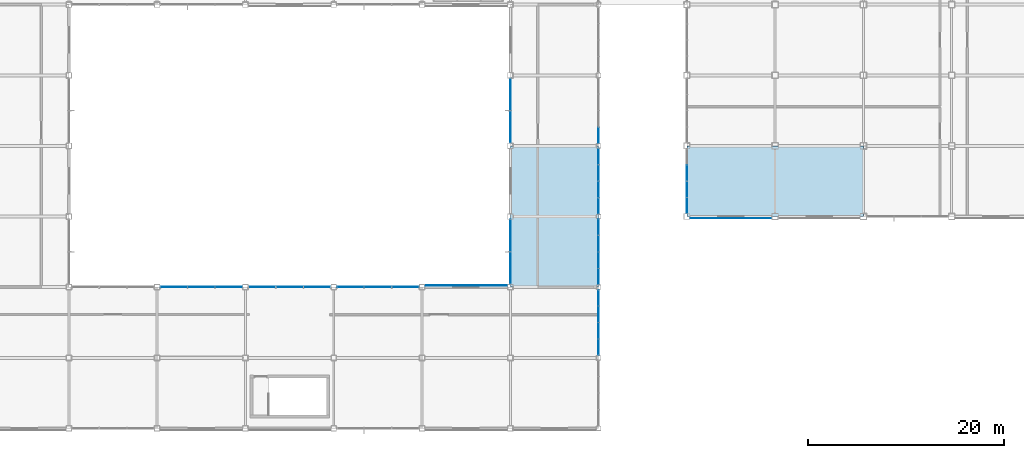
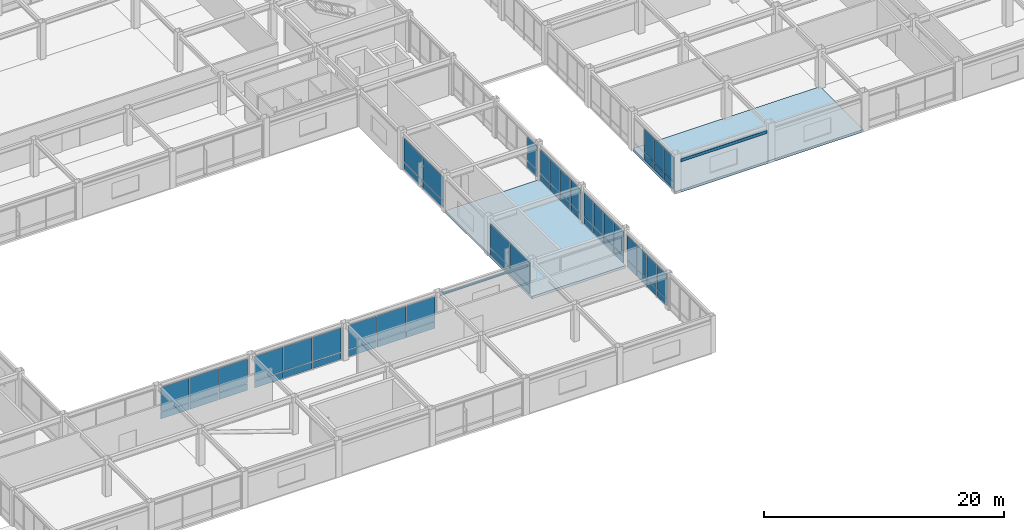
# One storey, part 86 of 113: 60 plates, 2 slabs, 10 elements without a shape of their own.
"""IFC4 building model written with IfcOpenShell, lengths in metres."""

import ifcopenshell
import ifcopenshell.guid

model = None  # the IFC model being written
_history = None  # IfcOwnerHistory: only IFC2X3 demands one
_inside = {}  # id of a spatial element -> (the spatial element, [elements in it])
_under = {}  # id of a project, library or spatial element -> (it, [spatial elements below it])
_declared = {}  # id of a project -> (the project, [libraries it declares])
_typed = {}  # id of a type object -> (the type object, [elements of that type])
_made_of = {}  # id of a material, layer set ... -> (it, [elements and type objects made of it])


def new_model(schema):
    """Start an empty IFC model of exactly this schema.

    Asked for "IFC4X3", IfcOpenShell would pick the latest addendum, in which some entities
    have other attributes; the version numbers below select the first issue.
    IFC2X3 requires an IfcOwnerHistory on every rooted entity: one is made here for all.
    """
    global model, _history
    if schema == "IFC4X3":
        model = ifcopenshell.file(schema_version=(4, 3, 0, 0))
    else:
        model = ifcopenshell.file(schema=schema)
    _inside.clear()
    _under.clear()
    _declared.clear()
    _typed.clear()
    _made_of.clear()
    _history = None
    if model.schema == "IFC2X3":
        org = make("IfcOrganization", Name="unknown")
        user = make(
            "IfcPersonAndOrganization",
            ThePerson=make("IfcPerson", FamilyName="unknown"),
            TheOrganization=org,
        )
        app = make(
            "IfcApplication",
            ApplicationDeveloper=org,
            Version="unknown",
            ApplicationFullName="unknown",
            ApplicationIdentifier="unknown",
        )
        _history = make(
            "IfcOwnerHistory",
            OwningUser=user,
            OwningApplication=app,
            ChangeAction="ADDED",
            CreationDate=0,
        )
    return model


def make(cls, **values):
    """One entity of the class cls with the attributes given. An attribute that is None is left unset."""
    return model.create_entity(
        cls, **{name: value for name, value in values.items() if value is not None}
    )


def rooted(cls, **values):
    """An entity with a GlobalId (a new one), such as an element, a storey or a relation."""
    return make(cls, GlobalId=ifcopenshell.guid.new(), OwnerHistory=_history, **values)


def si_unit(unit_type, name, prefix=None):
    """IfcSIUnit, for example si_unit("LENGTHUNIT", "METRE", prefix="MILLI")."""
    return make("IfcSIUnit", UnitType=unit_type, Prefix=prefix, Name=name)


def assignment(units):
    """IfcUnitAssignment: the units of a project."""
    return None if units is None else make("IfcUnitAssignment", Units=units)


def point(xyz):
    """IfcCartesianPoint."""
    return None if xyz is None else make("IfcCartesianPoint", Coordinates=xyz)


def direction(xyz):
    """IfcDirection."""
    return None if xyz is None else make("IfcDirection", DirectionRatios=xyz)


def frame(location, z_axis=None, x_axis=None):
    """IfcAxis2Placement3D, a coordinate frame: its origin and axes. An axis left out is left unset."""
    return make(
        "IfcAxis2Placement3D",
        Location=point(location),
        Axis=direction(z_axis),
        RefDirection=direction(x_axis),
    )


def frame_2d(location, x_axis=None):
    """IfcAxis2Placement2D, a coordinate frame in the plane: its origin and x axis."""
    return make(
        "IfcAxis2Placement2D", Location=point(location), RefDirection=direction(x_axis)
    )


def origin():
    """The frame at (0, 0, 0) with its axes left unset."""
    return frame((0.0, 0.0, 0.0))


def origin_2d():
    """The frame at (0, 0) in the plane with its x axis left unset."""
    return frame_2d((0.0, 0.0))


def place(relative_to, where):
    """IfcLocalPlacement: puts the frame where relative to a parent placement (None: the world)."""
    return make(
        "IfcLocalPlacement", PlacementRelTo=relative_to, RelativePlacement=where
    )


def context(
    kind, dimensions, precision=None, world=None, true_north=None, identifier=None
):
    """IfcGeometricRepresentationContext, for example the 3D "Model" context."""
    return make(
        "IfcGeometricRepresentationContext",
        ContextIdentifier=identifier,
        ContextType=kind,
        CoordinateSpaceDimension=dimensions,
        Precision=precision,
        WorldCoordinateSystem=world,
        TrueNorth=true_north,
    )


def subcontext(parent, identifier, kind, view, scale=None):
    """IfcGeometricRepresentationSubContext, for example "Body" below "Model"."""
    return make(
        "IfcGeometricRepresentationSubContext",
        ContextIdentifier=identifier,
        ContextType=kind,
        ParentContext=parent,
        TargetScale=scale,
        TargetView=view,
    )


def project(units=None, contexts=None):
    """IfcProject with its units and contexts."""
    return rooted(
        "IfcProject",
        Name="project",
        RepresentationContexts=contexts,
        UnitsInContext=assignment(units),
    )


def spatial(cls, under=None, at=None, **own):
    """A site, building, storey or space (cls), placed at a placement, below another one or the project."""
    s = rooted(cls, ObjectPlacement=at, **own)
    if under is not None:
        _under.setdefault(under.id(), (under, []))[1].append(s)
    return s


def polyline(points):
    """IfcPolyline through the points."""
    return make("IfcPolyline", Points=[point(p) for p in points])


def profile(cls, at=None, kind="AREA", **sizes):
    """A parametric profile (cls). Its sizes go by their IFC names, for example OverallWidth=200.0."""
    return make(cls, ProfileType=kind, Position=at, **sizes)


def rectangle(**sizes):
    """IfcRectangleProfileDef."""
    return profile("IfcRectangleProfileDef", **sizes)


def outline(outer, holes=None, kind="AREA"):
    """IfcArbitraryClosedProfileDef: a profile drawn as a closed curve; with holes, ...WithVoids."""
    if holes is None:
        return make("IfcArbitraryClosedProfileDef", ProfileType=kind, OuterCurve=outer)
    return make(
        "IfcArbitraryProfileDefWithVoids",
        ProfileType=kind,
        OuterCurve=outer,
        InnerCurves=holes,
    )


def extrude(swept, where, along, depth):
    """IfcExtrudedAreaSolid: the profile swept, set in the frame where, extruded along a direction by depth."""
    return make(
        "IfcExtrudedAreaSolid",
        SweptArea=swept,
        Position=where,
        ExtrudedDirection=direction(along),
        Depth=depth,
    )


def shape(context_of_items, identifier, shape_type, items):
    """IfcShapeRepresentation: the items that make up one representation, for example the "Body"."""
    return make(
        "IfcShapeRepresentation",
        ContextOfItems=context_of_items,
        RepresentationIdentifier=identifier,
        RepresentationType=shape_type,
        Items=items,
    )


def material(Name=None, Category=None):
    """IfcMaterial."""
    return make("IfcMaterial", Name=Name, Category=Category)


def layer(
    of_material, thickness, ventilated=None, Name=None, Category=None, Priority=None
):
    """IfcMaterialLayer: one layer of a wall or slab, of a material (None: an air gap)."""
    return make(
        "IfcMaterialLayer",
        Material=of_material,
        LayerThickness=thickness,
        IsVentilated=ventilated,
        Name=Name,
        Category=Category,
        Priority=Priority,
    )


def layer_set(layers, Name=None):
    """IfcMaterialLayerSet."""
    return make("IfcMaterialLayerSet", MaterialLayers=layers, LayerSetName=Name)


def made_of(thing, what):
    """Note that an element or type object is made of a material, layer set ...; save() writes the relation."""
    if what is not None:
        _made_of.setdefault(what.id(), (what, []))[1].append(thing)
    return thing


def type_object(cls, material=None, **own):
    """A type object (cls), such as IfcWallType, which elements share."""
    return made_of(rooted(cls, **own), material)


def element(
    cls,
    number,
    at=None,
    inside=None,
    cuts=None,
    type_object=None,
    material=None,
    context=None,
    identifier="Body",
    shape_type=None,
    held_by="IfcProductDefinitionShape",
    body=None,
    shapes=None,
    **own,
):
    """One element of the class cls, such as IfcWall. Its Tag is "e" and its number.

    at: its placement. inside: the storey or other place that contains it. cuts: it is an
    opening in that element (IfcRelVoidsElement). A single representation is given by context,
    identifier, shape_type and body (its items); several are given by shapes. held_by: the class
    of the entity that holds the representations. save() writes the other relations.
    """
    e = rooted(cls, Tag="e%d" % number, ObjectPlacement=at, **own)
    if body is not None:
        shapes = [shape(context, identifier, shape_type, body)]
    if shapes is not None:
        e.Representation = make(held_by, Representations=shapes)
    if inside is not None:
        _inside.setdefault(inside.id(), (inside, []))[1].append(e)
    if cuts is not None:
        rooted(
            "IfcRelVoidsElement", RelatingBuildingElement=cuts, RelatedOpeningElement=e
        )
    if type_object is not None:
        _typed.setdefault(type_object.id(), (type_object, []))[1].append(e)
    return made_of(e, material)


def aggregate(whole, parts):
    """IfcRelAggregates: a whole, such as a stair, and the parts it consists of."""
    return rooted("IfcRelAggregates", RelatingObject=whole, RelatedObjects=parts)


def save(model, path):
    """Write the relations noted so far, then the file.

    IfcRelAggregates (storeys below a building ...), IfcRelContainedInSpatialStructure (elements
    in a storey), IfcRelDefinesByType, IfcRelAssociatesMaterial and IfcRelDeclares: one each for
    every whole, place, type object, material and project.
    """
    for whole, parts in _under.values():
        aggregate(whole, parts)
    for where, things in _inside.values():
        rooted(
            "IfcRelContainedInSpatialStructure",
            RelatedElements=things,
            RelatingStructure=where,
        )
    for kind, things in _typed.values():
        rooted("IfcRelDefinesByType", RelatedObjects=things, RelatingType=kind)
    for what, things in _made_of.values():
        rooted("IfcRelAssociatesMaterial", RelatedObjects=things, RelatingMaterial=what)
    for by, libraries in _declared.values():
        rooted("IfcRelDeclares", RelatingContext=by, RelatedDefinitions=libraries)
    model.write(path)


model = new_model("IFC4")

# Units and contexts
model_context = context("Model", 3, precision=1e-05, world=origin(), true_north=direction((0.0, 1.0)))
body_context = subcontext(model_context, "Body", "Model", "MODEL_VIEW")
ifc_project = project(units=[si_unit("LENGTHUNIT", "METRE"), si_unit("AREAUNIT", "SQUARE_METRE"), si_unit("VOLUMEUNIT", "CUBIC_METRE"), si_unit("PLANEANGLEUNIT", "RADIAN"), si_unit("MASSUNIT", "GRAM", prefix="KILO")], contexts=[model_context])

# Site, building, storey
site_placement = place(None, origin())
site = spatial("IfcSite", under=ifc_project, at=site_placement, CompositionType="ELEMENT")
building_placement = place(site_placement, origin())
building = spatial("IfcBuilding", under=site, at=building_placement, Name="Kazanami Central Library", CompositionType="ELEMENT")
storey_placement = place(building_placement, frame((0.0, 0.0, 8.800048828125)))
storey = spatial("IfcBuildingStorey", under=building, at=storey_placement, Name="L03", CompositionType="ELEMENT", Elevation=8.800048828125)

# Curtain wall, plates
ifc_material_1 = material(Name="Acid-Etched Low-E Laminated Glass", Category="glass")
curtain_wall_type_1 = type_object("IfcCurtainWallType", Name="CW-8450x3330-M275", PredefinedType="USERDEFINED", material=ifc_material_1)
curtain_wall_1_placement = place(storey_placement, origin())
curtain_wall_1 = element("IfcCurtainWall", 1, at=curtain_wall_1_placement, inside=storey, type_object=curtain_wall_type_1, Name="Unitised Curtain Wall CW-25 L03 N-F-08", ObjectType="UNITISED CURTAIN WALL", PredefinedType="USERDEFINED")
ifc_layer_1 = layer(ifc_material_1, 0.035888671875, Name="Acid-Etched Low-E Laminated Glass")
ifc_layer_set_1 = layer_set([ifc_layer_1], Name="Acid-Etched Low-E Laminated Glass")
plate_type_1 = type_object("IfcPlateType", Name="PLT-CW-P1", PredefinedType="CURTAIN_PANEL", material=ifc_layer_set_1)
plate_1_placement = place(storey_placement, frame((79.299072265625, 36.0, 0.81494140625), z_axis=(0.0, 0.0, 1.0), x_axis=(-1.0, 0.0, 0.0)))
plate_1 = element("IfcPlate", 2, at=plate_1_placement, type_object=plate_type_1, Name="CW-25 panel 1.2", PredefinedType="CURTAIN_PANEL", context=body_context, shape_type="SweptSolid", body=[
    extrude(rectangle(XDim=2.711669921875, YDim=0.035888671875, at=origin_2d()), origin(), (0.0, 0.0, 1.0), 2.445068359375),
])
plate_2_placement = place(storey_placement, frame((76.5, 36.0, 0.81494140625), z_axis=(0.0, 0.0, 1.0), x_axis=(-1.0, 0.0, 0.0)))
plate_2 = element("IfcPlate", 3, at=plate_2_placement, type_object=plate_type_1, Name="CW-25 panel 2.2", PredefinedType="CURTAIN_PANEL", context=body_context, shape_type="SweptSolid", body=[
    extrude(rectangle(XDim=2.74658203125, YDim=0.035888671875, at=origin_2d()), origin(), (0.0, 0.0, 1.0), 2.445068359375),
])
plate_3_placement = place(storey_placement, frame((73.700927734375, 36.0, 0.81494140625), z_axis=(0.0, 0.0, 1.0), x_axis=(-1.0, 0.0, 0.0)))
plate_3 = element("IfcPlate", 4, at=plate_3_placement, type_object=plate_type_1, Name="CW-25 panel 3.2", PredefinedType="CURTAIN_PANEL", context=body_context, shape_type="SweptSolid", body=[
    extrude(rectangle(XDim=2.711669921875, YDim=0.035888671875, at=origin_2d()), origin(), (0.0, 0.0, 1.0), 2.445068359375),
])

curtain_wall_2_placement = place(storey_placement, origin())
curtain_wall_2 = element("IfcCurtainWall", 5, at=curtain_wall_2_placement, inside=storey, type_object=curtain_wall_type_1, Name="Unitised Curtain Wall CW-25 L03 N-F-07", ObjectType="UNITISED CURTAIN WALL", PredefinedType="USERDEFINED")
ifc_layer_2 = layer(ifc_material_1, 0.0439453125, Name="Acid-Etched Low-E Laminated Glass")
ifc_layer_set_2 = layer_set([ifc_layer_2], Name="Acid-Etched Low-E Laminated Glass")
plate_type_2 = type_object("IfcPlateType", Name="PLT-CW-P2", PredefinedType="CURTAIN_PANEL", material=ifc_layer_set_2)
plate_4_placement = place(storey_placement, frame((70.299072265625, 36.0, 0.81494140625), z_axis=(0.0, 0.0, 1.0), x_axis=(-1.0, 0.0, 0.0)))
plate_4 = element("IfcPlate", 6, at=plate_4_placement, type_object=plate_type_2, Name="CW-25 panel 1.2", PredefinedType="CURTAIN_PANEL", context=body_context, shape_type="SweptSolid", body=[
    extrude(rectangle(XDim=2.711669921875, YDim=0.0439453125, at=origin_2d()), origin(), (0.0, 0.0, 1.0), 2.445068359375),
])
plate_5_placement = place(storey_placement, frame((67.5, 36.0, 0.81494140625), z_axis=(0.0, 0.0, 1.0), x_axis=(-1.0, 0.0, 0.0)))
plate_5 = element("IfcPlate", 7, at=plate_5_placement, type_object=plate_type_2, Name="CW-25 panel 2.2", PredefinedType="CURTAIN_PANEL", context=body_context, shape_type="SweptSolid", body=[
    extrude(rectangle(XDim=2.74658203125, YDim=0.0439453125, at=origin_2d()), origin(), (0.0, 0.0, 1.0), 2.445068359375),
])
plate_6_placement = place(storey_placement, frame((64.700927734375, 36.0, 0.81494140625), z_axis=(0.0, 0.0, 1.0), x_axis=(-1.0, 0.0, 0.0)))
plate_6 = element("IfcPlate", 8, at=plate_6_placement, type_object=plate_type_2, Name="CW-25 panel 3.2", PredefinedType="CURTAIN_PANEL", context=body_context, shape_type="SweptSolid", body=[
    extrude(rectangle(XDim=2.711669921875, YDim=0.0439453125, at=origin_2d()), origin(), (0.0, 0.0, 1.0), 2.445068359375),
])

curtain_wall_3_placement = place(storey_placement, origin())
curtain_wall_3 = element("IfcCurtainWall", 9, at=curtain_wall_3_placement, inside=storey, type_object=curtain_wall_type_1, Name="Unitised Curtain Wall CW-25 L03 N-F-09", ObjectType="UNITISED CURTAIN WALL", PredefinedType="USERDEFINED")
plate_7_placement = place(storey_placement, frame((88.299072265625, 36.0, 0.81494140625), z_axis=(0.0, 0.0, 1.0), x_axis=(-1.0, 0.0, 0.0)))
plate_7 = element("IfcPlate", 10, at=plate_7_placement, type_object=plate_type_2, Name="CW-25 panel 1.2", PredefinedType="CURTAIN_PANEL", context=body_context, shape_type="SweptSolid", body=[
    extrude(rectangle(XDim=2.711669921875, YDim=0.0439453125, at=origin_2d()), origin(), (0.0, 0.0, 1.0), 2.445068359375),
])
plate_8_placement = place(storey_placement, frame((85.5, 36.0, 0.81494140625), z_axis=(0.0, 0.0, 1.0), x_axis=(-1.0, 0.0, 0.0)))
plate_8 = element("IfcPlate", 11, at=plate_8_placement, type_object=plate_type_2, Name="CW-25 panel 2.2", PredefinedType="CURTAIN_PANEL", context=body_context, shape_type="SweptSolid", body=[
    extrude(rectangle(XDim=2.74658203125, YDim=0.0439453125, at=origin_2d()), origin(), (0.0, 0.0, 1.0), 2.445068359375),
])
plate_9_placement = place(storey_placement, frame((82.700927734375, 36.0, 0.81494140625), z_axis=(0.0, 0.0, 1.0), x_axis=(-1.0, 0.0, 0.0)))
plate_9 = element("IfcPlate", 12, at=plate_9_placement, type_object=plate_type_2, Name="CW-25 panel 3.2", PredefinedType="CURTAIN_PANEL", context=body_context, shape_type="SweptSolid", body=[
    extrude(rectangle(XDim=2.711669921875, YDim=0.0439453125, at=origin_2d()), origin(), (0.0, 0.0, 1.0), 2.445068359375),
])

curtain_wall_type_2 = type_object("IfcCurtainWallType", Name="CW-6650x3295-M275", PredefinedType="USERDEFINED", material=ifc_material_1)
curtain_wall_4_placement = place(storey_placement, origin())
curtain_wall_4 = element("IfcCurtainWall", 13, at=curtain_wall_4_placement, inside=storey, type_object=curtain_wall_type_2, Name="Unitised Curtain Wall CW-35 L03 W-12-05", ObjectType="UNITISED CURTAIN WALL", PredefinedType="USERDEFINED")
plate_10_placement = place(storey_placement, frame((99.0, 37.955078125, 0.81494140625), z_axis=(0.0, 0.0, 1.0), x_axis=(0.0, 1.0, 0.0)))
plate_10 = element("IfcPlate", 14, at=plate_10_placement, type_object=plate_type_2, Name="CW-35 panel 1.2", PredefinedType="CURTAIN_PANEL", context=body_context, shape_type="SweptSolid", body=[
    extrude(rectangle(XDim=3.219970703125, YDim=0.0439453125, at=origin_2d()), origin(), (0.0, 0.0, 1.0), 2.409912109375),
])
plate_11_placement = place(storey_placement, frame((99.0, 41.2451171875, 0.81494140625), z_axis=(0.0, 0.0, 1.0), x_axis=(0.0, 1.0, 0.0)))
plate_11 = element("IfcPlate", 15, at=plate_11_placement, type_object=plate_type_2, Name="CW-35 panel 2.2", PredefinedType="CURTAIN_PANEL", context=body_context, shape_type="SweptSolid", body=[
    extrude(rectangle(XDim=3.219970703125, YDim=0.0439453125, at=origin_2d()), origin(), (0.0, 0.0, 1.0), 2.409912109375),
])

curtain_wall_5_placement = place(storey_placement, origin())
curtain_wall_5 = element("IfcCurtainWall", 16, at=curtain_wall_5_placement, inside=storey, type_object=curtain_wall_type_2, Name="Unitised Curtain Wall CW-35 L03 W-12-07", ObjectType="UNITISED CURTAIN WALL", PredefinedType="USERDEFINED")
plate_12_placement = place(storey_placement, frame((99.0, 52.35498046875, 0.81494140625), z_axis=(0.0, 0.0, 1.0), x_axis=(0.0, 1.0, 0.0)))
plate_12 = element("IfcPlate", 17, at=plate_12_placement, type_object=plate_type_2, Name="CW-35 panel 1.2", PredefinedType="CURTAIN_PANEL", context=body_context, shape_type="SweptSolid", body=[
    extrude(rectangle(XDim=3.219970703125, YDim=0.0439453125, at=origin_2d()), origin(), (0.0, 0.0, 1.0), 2.409912109375),
])
plate_13_placement = place(storey_placement, frame((99.0, 55.64501953125, 0.81494140625), z_axis=(0.0, 0.0, 1.0), x_axis=(0.0, 1.0, 0.0)))
plate_13 = element("IfcPlate", 18, at=plate_13_placement, type_object=plate_type_2, Name="CW-35 panel 2.2", PredefinedType="CURTAIN_PANEL", context=body_context, shape_type="SweptSolid", body=[
    extrude(rectangle(XDim=3.219970703125, YDim=0.0439453125, at=origin_2d()), origin(), (0.0, 0.0, 1.0), 2.409912109375),
])

curtain_wall_type_3 = type_object("IfcCurtainWallType", Name="CW-6750x3330-M180", PredefinedType="USERDEFINED", material=ifc_material_1)
curtain_wall_6_placement = place(storey_placement, origin())
curtain_wall_6 = element("IfcCurtainWall", 19, at=curtain_wall_6_placement, inside=storey, type_object=curtain_wall_type_3, Name="Covered Link Bridge Curtain Wall CW-34 L03 E-13-04", ObjectType="UNITISED CURTAIN WALL", PredefinedType="USERDEFINED")
ifc_material_2 = material(Name="Low-E Insulated Triple Glass", Category="glass")
ifc_layer_3 = layer(ifc_material_2, 0.0400390625, Name="Low-E Insulated Triple Glass")
ifc_layer_set_3 = layer_set([ifc_layer_3], Name="Low-E Insulated Triple Glass")
plate_type_3 = type_object("IfcPlateType", Name="PLT-CW-P3", PredefinedType="CURTAIN_PANEL", material=ifc_layer_set_3)
plate_14_placement = place(storey_placement, frame((108.0, 34.913818359375, 0.81494140625), z_axis=(0.0, 0.0, 1.0), x_axis=(0.0, -1.0, 0.0)))
plate_14 = element("IfcPlate", 20, at=plate_14_placement, type_object=plate_type_3, Name="CW-34 panel 1.2", PredefinedType="CURTAIN_PANEL", context=body_context, shape_type="SweptSolid", body=[
    extrude(rectangle(XDim=1.58251953125, YDim=0.0400390625, at=origin_2d()), origin(), (0.0, 0.0, 1.0), 2.445068359375),
])
plate_15_placement = place(storey_placement, frame((108.0, 33.24365234375, 0.81494140625), z_axis=(0.0, 0.0, 1.0), x_axis=(0.0, -1.0, 0.0)))
plate_15 = element("IfcPlate", 21, at=plate_15_placement, type_object=plate_type_3, Name="CW-34 panel 2.2", PredefinedType="CURTAIN_PANEL", context=body_context, shape_type="SweptSolid", body=[
    extrude(rectangle(XDim=1.617431640625, YDim=0.0400390625, at=origin_2d()), origin(), (0.0, 0.0, 1.0), 2.445068359375),
])
plate_16_placement = place(storey_placement, frame((108.0, 31.55615234375, 0.81494140625), z_axis=(0.0, 0.0, 1.0), x_axis=(0.0, -1.0, 0.0)))
plate_16 = element("IfcPlate", 22, at=plate_16_placement, type_object=plate_type_3, Name="CW-34 panel 3.2", PredefinedType="CURTAIN_PANEL", context=body_context, shape_type="SweptSolid", body=[
    extrude(rectangle(XDim=1.617431640625, YDim=0.0400390625, at=origin_2d()), origin(), (0.0, 0.0, 1.0), 2.445068359375),
])
plate_17_placement = place(storey_placement, frame((108.0, 29.88623046875, 0.81494140625), z_axis=(0.0, 0.0, 1.0), x_axis=(0.0, -1.0, 0.0)))
plate_17 = element("IfcPlate", 23, at=plate_17_placement, type_object=plate_type_3, Name="CW-34 panel 4.2", PredefinedType="CURTAIN_PANEL", context=body_context, shape_type="SweptSolid", body=[
    extrude(rectangle(XDim=1.58251953125, YDim=0.0400390625, at=origin_2d()), origin(), (0.0, 0.0, 1.0), 2.445068359375),
])

curtain_wall_type_4 = type_object("IfcCurtainWallType", Name="CW-6750x3295-M180", PredefinedType="USERDEFINED", material=ifc_material_1)
curtain_wall_7_placement = place(storey_placement, origin())
curtain_wall_7 = element("IfcCurtainWall", 24, at=curtain_wall_7_placement, inside=storey, type_object=curtain_wall_type_4, Name="Covered Link Bridge Curtain Wall CW-32 L03 E-13-05", ObjectType="UNITISED CURTAIN WALL", PredefinedType="USERDEFINED")
plate_18_placement = place(storey_placement, frame((108.0, 42.11376953125, 0.81494140625), z_axis=(0.0, 0.0, 1.0), x_axis=(0.0, -1.0, 0.0)))
plate_18 = element("IfcPlate", 25, at=plate_18_placement, type_object=plate_type_3, Name="CW-32 panel 1.2", PredefinedType="CURTAIN_PANEL", context=body_context, shape_type="SweptSolid", body=[
    extrude(rectangle(XDim=1.58251953125, YDim=0.0400390625, at=origin_2d()), origin(), (0.0, 0.0, 1.0), 2.409912109375),
])
plate_19_placement = place(storey_placement, frame((108.0, 40.44384765625, 0.81494140625), z_axis=(0.0, 0.0, 1.0), x_axis=(0.0, -1.0, 0.0)))
plate_19 = element("IfcPlate", 26, at=plate_19_placement, type_object=plate_type_3, Name="CW-32 panel 2.2", PredefinedType="CURTAIN_PANEL", context=body_context, shape_type="SweptSolid", body=[
    extrude(rectangle(XDim=1.617431640625, YDim=0.0400390625, at=origin_2d()), origin(), (0.0, 0.0, 1.0), 2.409912109375),
])
plate_20_placement = place(storey_placement, frame((108.0, 38.75634765625, 0.81494140625), z_axis=(0.0, 0.0, 1.0), x_axis=(0.0, -1.0, 0.0)))
plate_20 = element("IfcPlate", 27, at=plate_20_placement, type_object=plate_type_3, Name="CW-32 panel 3.2", PredefinedType="CURTAIN_PANEL", context=body_context, shape_type="SweptSolid", body=[
    extrude(rectangle(XDim=1.617431640625, YDim=0.0400390625, at=origin_2d()), origin(), (0.0, 0.0, 1.0), 2.409912109375),
])
plate_21_placement = place(storey_placement, frame((108.0, 37.086181640625, 0.81494140625), z_axis=(0.0, 0.0, 1.0), x_axis=(0.0, -1.0, 0.0)))
plate_21 = element("IfcPlate", 28, at=plate_21_placement, type_object=plate_type_3, Name="CW-32 panel 4.2", PredefinedType="CURTAIN_PANEL", context=body_context, shape_type="SweptSolid", body=[
    extrude(rectangle(XDim=1.58251953125, YDim=0.0400390625, at=origin_2d()), origin(), (0.0, 0.0, 1.0), 2.409912109375),
])

curtain_wall_8_placement = place(storey_placement, origin())
curtain_wall_8 = element("IfcCurtainWall", 29, at=curtain_wall_8_placement, inside=storey, type_object=curtain_wall_type_4, Name="Covered Link Bridge Curtain Wall CW-32 L03 E-13-06", ObjectType="UNITISED CURTAIN WALL", PredefinedType="USERDEFINED")
plate_22_placement = place(storey_placement, frame((108.0, 49.313720703125, 0.81494140625), z_axis=(0.0, 0.0, 1.0), x_axis=(0.0, -1.0, 0.0)))
plate_22 = element("IfcPlate", 30, at=plate_22_placement, type_object=plate_type_3, Name="CW-32 panel 1.2", PredefinedType="CURTAIN_PANEL", context=body_context, shape_type="SweptSolid", body=[
    extrude(rectangle(XDim=1.58251953125, YDim=0.0400390625, at=origin_2d()), origin(), (0.0, 0.0, 1.0), 2.409912109375),
])
plate_23_placement = place(storey_placement, frame((108.0, 47.643798828125, 0.81494140625), z_axis=(0.0, 0.0, 1.0), x_axis=(0.0, -1.0, 0.0)))
plate_23 = element("IfcPlate", 31, at=plate_23_placement, type_object=plate_type_3, Name="CW-32 panel 2.2", PredefinedType="CURTAIN_PANEL", context=body_context, shape_type="SweptSolid", body=[
    extrude(rectangle(XDim=1.617431640625, YDim=0.0400390625, at=origin_2d()), origin(), (0.0, 0.0, 1.0), 2.409912109375),
])
plate_24_placement = place(storey_placement, frame((108.0, 45.956298828125, 0.81494140625), z_axis=(0.0, 0.0, 1.0), x_axis=(0.0, -1.0, 0.0)))
plate_24 = element("IfcPlate", 32, at=plate_24_placement, type_object=plate_type_3, Name="CW-32 panel 3.2", PredefinedType="CURTAIN_PANEL", context=body_context, shape_type="SweptSolid", body=[
    extrude(rectangle(XDim=1.617431640625, YDim=0.0400390625, at=origin_2d()), origin(), (0.0, 0.0, 1.0), 2.409912109375),
])
plate_25_placement = place(storey_placement, frame((108.0, 44.2861328125, 0.81494140625), z_axis=(0.0, 0.0, 1.0), x_axis=(0.0, -1.0, 0.0)))
plate_25 = element("IfcPlate", 33, at=plate_25_placement, type_object=plate_type_3, Name="CW-32 panel 4.2", PredefinedType="CURTAIN_PANEL", context=body_context, shape_type="SweptSolid", body=[
    extrude(rectangle(XDim=1.58251953125, YDim=0.0400390625, at=origin_2d()), origin(), (0.0, 0.0, 1.0), 2.409912109375),
])

# Curtain wall, plate
curtain_wall_9_placement = place(storey_placement, origin())
curtain_wall_9 = element("IfcCurtainWall", 34, at=curtain_wall_9_placement, inside=storey, type_object=curtain_wall_type_4, Name="Covered Link Bridge Curtain Wall CW-32 L03 E-13-07", ObjectType="UNITISED CURTAIN WALL", PredefinedType="USERDEFINED")
plate_26_placement = place(storey_placement, frame((108.0, 51.486328125, 0.81494140625), z_axis=(0.0, 0.0, 1.0), x_axis=(0.0, -1.0, 0.0)))
plate_26 = element("IfcPlate", 35, at=plate_26_placement, type_object=plate_type_3, Name="CW-32 panel 4.2", PredefinedType="CURTAIN_PANEL", context=body_context, shape_type="SweptSolid", body=[
    extrude(rectangle(XDim=1.58251953125, YDim=0.0400390625, at=origin_2d()), origin(), (0.0, 0.0, 1.0), 2.409912109375),
])

# Curtain wall, plates
curtain_wall_type_5 = type_object("IfcCurtainWallType", Name="CW-6600x3295-M180", PredefinedType="USERDEFINED", material=ifc_material_1)
curtain_wall_10_placement = place(storey_placement, origin())
curtain_wall_10 = element("IfcCurtainWall", 36, at=curtain_wall_10_placement, inside=storey, type_object=curtain_wall_type_5, Name="Covered Link Bridge Curtain Wall CW-36 L03 W-14-06", ObjectType="UNITISED CURTAIN WALL", PredefinedType="USERDEFINED")
plate_27_placement = place(storey_placement, frame((117.0, 44.340087890625, 0.81005859375), z_axis=(0.0, 0.0, 1.0), x_axis=(0.0, 1.0, 0.0)))
plate_27 = element("IfcPlate", 37, at=plate_27_placement, type_object=plate_type_3, Name="CW-36 panel 1.2", PredefinedType="CURTAIN_PANEL", context=body_context, shape_type="SweptSolid", body=[
    extrude(rectangle(XDim=1.56005859375, YDim=0.0400390625, at=origin_2d()), origin(), (0.0, 0.0, 1.0), 2.425048828125),
])
plate_28_placement = place(storey_placement, frame((117.0, 45.97509765625, 0.81005859375), z_axis=(0.0, 0.0, 1.0), x_axis=(0.0, 1.0, 0.0)))
plate_28 = element("IfcPlate", 38, at=plate_28_placement, type_object=plate_type_3, Name="CW-36 panel 2.2", PredefinedType="CURTAIN_PANEL", context=body_context, shape_type="SweptSolid", body=[
    extrude(rectangle(XDim=1.590087890625, YDim=0.0400390625, at=origin_2d()), origin(), (0.0, 0.0, 1.0), 2.425048828125),
])
plate_29_placement = place(storey_placement, frame((117.0, 47.625, 0.81005859375), z_axis=(0.0, 0.0, 1.0), x_axis=(0.0, 1.0, 0.0)))
plate_29 = element("IfcPlate", 39, at=plate_29_placement, type_object=plate_type_3, Name="CW-36 panel 3.2", PredefinedType="CURTAIN_PANEL", context=body_context, shape_type="SweptSolid", body=[
    extrude(rectangle(XDim=1.590087890625, YDim=0.0400390625, at=origin_2d()), origin(), (0.0, 0.0, 1.0), 2.425048828125),
])

# Plate
ifc_material_3 = material(Name="Anodised Aluminium A5052-H32", Category="aluminium")
ifc_layer_4 = layer(ifc_material_3, 0.06005859375, Name="Anodised Aluminium A5052-H32")
ifc_layer_set_4 = layer_set([ifc_layer_4], Name="Anodised Aluminium A5052-H32")
plate_type_4 = type_object("IfcPlateType", Name="PLT-CW-SP1", PredefinedType="CURTAIN_PANEL", material=ifc_layer_set_4)
plate_30_placement = place(storey_placement, frame((70.299072265625, 36.0, 0.06982421875), z_axis=(0.0, 0.0, 1.0), x_axis=(-1.0, 0.0, 0.0)))
plate_30 = element("IfcPlate", 40, at=plate_30_placement, type_object=plate_type_4, Name="CW-25 panel 1.1", PredefinedType="CURTAIN_PANEL", context=body_context, shape_type="SweptSolid", body=[
    extrude(rectangle(XDim=2.711669921875, YDim=0.06005859375, at=origin_2d()), origin(), (0.0, 0.0, 1.0), 0.675048828125),
])

plate_31_placement = place(storey_placement, frame((67.5, 36.0, 0.06982421875), z_axis=(0.0, 0.0, 1.0), x_axis=(-1.0, 0.0, 0.0)))
plate_31 = element("IfcPlate", 41, at=plate_31_placement, type_object=plate_type_4, Name="CW-25 panel 2.1", PredefinedType="CURTAIN_PANEL", context=body_context, shape_type="SweptSolid", body=[
    extrude(rectangle(XDim=2.74658203125, YDim=0.06005859375, at=origin_2d()), origin(), (0.0, 0.0, 1.0), 0.675048828125),
])

plate_32_placement = place(storey_placement, frame((64.700927734375, 36.0, 0.06982421875), z_axis=(0.0, 0.0, 1.0), x_axis=(-1.0, 0.0, 0.0)))
plate_32 = element("IfcPlate", 42, at=plate_32_placement, type_object=plate_type_4, Name="CW-25 panel 3.1", PredefinedType="CURTAIN_PANEL", context=body_context, shape_type="SweptSolid", body=[
    extrude(rectangle(XDim=2.711669921875, YDim=0.06005859375, at=origin_2d()), origin(), (0.0, 0.0, 1.0), 0.675048828125),
])

aggregate(curtain_wall_2, [plate_30, plate_4, plate_31, plate_5, plate_32, plate_6])

plate_33_placement = place(storey_placement, frame((79.299072265625, 36.0, 0.06982421875), z_axis=(0.0, 0.0, 1.0), x_axis=(-1.0, 0.0, 0.0)))
plate_33 = element("IfcPlate", 43, at=plate_33_placement, type_object=plate_type_4, Name="CW-25 panel 1.1", PredefinedType="CURTAIN_PANEL", context=body_context, shape_type="SweptSolid", body=[
    extrude(rectangle(XDim=2.711669921875, YDim=0.06005859375, at=origin_2d()), origin(), (0.0, 0.0, 1.0), 0.675048828125),
])

plate_34_placement = place(storey_placement, frame((76.5, 36.0, 0.06982421875), z_axis=(0.0, 0.0, 1.0), x_axis=(-1.0, 0.0, 0.0)))
plate_34 = element("IfcPlate", 44, at=plate_34_placement, type_object=plate_type_4, Name="CW-25 panel 2.1", PredefinedType="CURTAIN_PANEL", context=body_context, shape_type="SweptSolid", body=[
    extrude(rectangle(XDim=2.74658203125, YDim=0.06005859375, at=origin_2d()), origin(), (0.0, 0.0, 1.0), 0.675048828125),
])

plate_35_placement = place(storey_placement, frame((73.700927734375, 36.0, 0.06982421875), z_axis=(0.0, 0.0, 1.0), x_axis=(-1.0, 0.0, 0.0)))
plate_35 = element("IfcPlate", 45, at=plate_35_placement, type_object=plate_type_4, Name="CW-25 panel 3.1", PredefinedType="CURTAIN_PANEL", context=body_context, shape_type="SweptSolid", body=[
    extrude(rectangle(XDim=2.711669921875, YDim=0.06005859375, at=origin_2d()), origin(), (0.0, 0.0, 1.0), 0.675048828125),
])

aggregate(curtain_wall_1, [plate_33, plate_1, plate_34, plate_2, plate_35, plate_3])

plate_36_placement = place(storey_placement, frame((88.299072265625, 36.0, 0.06982421875), z_axis=(0.0, 0.0, 1.0), x_axis=(-1.0, 0.0, 0.0)))
plate_36 = element("IfcPlate", 46, at=plate_36_placement, type_object=plate_type_4, Name="CW-25 panel 1.1", PredefinedType="CURTAIN_PANEL", context=body_context, shape_type="SweptSolid", body=[
    extrude(rectangle(XDim=2.711669921875, YDim=0.06005859375, at=origin_2d()), origin(), (0.0, 0.0, 1.0), 0.675048828125),
])

plate_37_placement = place(storey_placement, frame((85.5, 36.0, 0.06982421875), z_axis=(0.0, 0.0, 1.0), x_axis=(-1.0, 0.0, 0.0)))
plate_37 = element("IfcPlate", 47, at=plate_37_placement, type_object=plate_type_4, Name="CW-25 panel 2.1", PredefinedType="CURTAIN_PANEL", context=body_context, shape_type="SweptSolid", body=[
    extrude(rectangle(XDim=2.74658203125, YDim=0.06005859375, at=origin_2d()), origin(), (0.0, 0.0, 1.0), 0.675048828125),
])

plate_38_placement = place(storey_placement, frame((82.700927734375, 36.0, 0.06982421875), z_axis=(0.0, 0.0, 1.0), x_axis=(-1.0, 0.0, 0.0)))
plate_38 = element("IfcPlate", 48, at=plate_38_placement, type_object=plate_type_4, Name="CW-25 panel 3.1", PredefinedType="CURTAIN_PANEL", context=body_context, shape_type="SweptSolid", body=[
    extrude(rectangle(XDim=2.711669921875, YDim=0.06005859375, at=origin_2d()), origin(), (0.0, 0.0, 1.0), 0.675048828125),
])

aggregate(curtain_wall_3, [plate_36, plate_7, plate_37, plate_8, plate_38, plate_9])

plate_39_placement = place(storey_placement, frame((99.0, 37.955078125, 0.06982421875), z_axis=(0.0, 0.0, 1.0), x_axis=(0.0, 1.0, 0.0)))
plate_39 = element("IfcPlate", 49, at=plate_39_placement, type_object=plate_type_4, Name="CW-35 panel 1.1", PredefinedType="CURTAIN_PANEL", context=body_context, shape_type="SweptSolid", body=[
    extrude(rectangle(XDim=3.219970703125, YDim=0.06005859375, at=origin_2d()), origin(), (0.0, 0.0, 1.0), 0.675048828125),
])

plate_40_placement = place(storey_placement, frame((99.0, 41.2451171875, 0.06982421875), z_axis=(0.0, 0.0, 1.0), x_axis=(0.0, 1.0, 0.0)))
plate_40 = element("IfcPlate", 50, at=plate_40_placement, type_object=plate_type_4, Name="CW-35 panel 2.1", PredefinedType="CURTAIN_PANEL", context=body_context, shape_type="SweptSolid", body=[
    extrude(rectangle(XDim=3.219970703125, YDim=0.06005859375, at=origin_2d()), origin(), (0.0, 0.0, 1.0), 0.675048828125),
])

aggregate(curtain_wall_4, [plate_39, plate_10, plate_40, plate_11])

plate_41_placement = place(storey_placement, frame((99.0, 52.35498046875, 0.06982421875), z_axis=(0.0, 0.0, 1.0), x_axis=(0.0, 1.0, 0.0)))
plate_41 = element("IfcPlate", 51, at=plate_41_placement, type_object=plate_type_4, Name="CW-35 panel 1.1", PredefinedType="CURTAIN_PANEL", context=body_context, shape_type="SweptSolid", body=[
    extrude(rectangle(XDim=3.219970703125, YDim=0.06005859375, at=origin_2d()), origin(), (0.0, 0.0, 1.0), 0.675048828125),
])

plate_42_placement = place(storey_placement, frame((99.0, 55.64501953125, 0.06982421875), z_axis=(0.0, 0.0, 1.0), x_axis=(0.0, 1.0, 0.0)))
plate_42 = element("IfcPlate", 52, at=plate_42_placement, type_object=plate_type_4, Name="CW-35 panel 2.1", PredefinedType="CURTAIN_PANEL", context=body_context, shape_type="SweptSolid", body=[
    extrude(rectangle(XDim=3.219970703125, YDim=0.06005859375, at=origin_2d()), origin(), (0.0, 0.0, 1.0), 0.675048828125),
])

aggregate(curtain_wall_5, [plate_41, plate_12, plate_42, plate_13])

plate_43_placement = place(storey_placement, frame((108.0, 34.913818359375, 0.06982421875), z_axis=(0.0, 0.0, 1.0), x_axis=(0.0, -1.0, 0.0)))
plate_43 = element("IfcPlate", 53, at=plate_43_placement, type_object=plate_type_4, Name="CW-34 panel 1.1", PredefinedType="CURTAIN_PANEL", context=body_context, shape_type="SweptSolid", body=[
    extrude(rectangle(XDim=1.58251953125, YDim=0.06005859375, at=origin_2d()), origin(), (0.0, 0.0, 1.0), 0.675048828125),
])

plate_44_placement = place(storey_placement, frame((108.0, 33.24365234375, 0.06982421875), z_axis=(0.0, 0.0, 1.0), x_axis=(0.0, -1.0, 0.0)))
plate_44 = element("IfcPlate", 54, at=plate_44_placement, type_object=plate_type_4, Name="CW-34 panel 2.1", PredefinedType="CURTAIN_PANEL", context=body_context, shape_type="SweptSolid", body=[
    extrude(rectangle(XDim=1.617431640625, YDim=0.06005859375, at=origin_2d()), origin(), (0.0, 0.0, 1.0), 0.675048828125),
])

plate_45_placement = place(storey_placement, frame((108.0, 31.55615234375, 0.06982421875), z_axis=(0.0, 0.0, 1.0), x_axis=(0.0, -1.0, 0.0)))
plate_45 = element("IfcPlate", 55, at=plate_45_placement, type_object=plate_type_4, Name="CW-34 panel 3.1", PredefinedType="CURTAIN_PANEL", context=body_context, shape_type="SweptSolid", body=[
    extrude(rectangle(XDim=1.617431640625, YDim=0.06005859375, at=origin_2d()), origin(), (0.0, 0.0, 1.0), 0.675048828125),
])

plate_46_placement = place(storey_placement, frame((108.0, 29.88623046875, 0.06982421875), z_axis=(0.0, 0.0, 1.0), x_axis=(0.0, -1.0, 0.0)))
plate_46 = element("IfcPlate", 56, at=plate_46_placement, type_object=plate_type_4, Name="CW-34 panel 4.1", PredefinedType="CURTAIN_PANEL", context=body_context, shape_type="SweptSolid", body=[
    extrude(rectangle(XDim=1.58251953125, YDim=0.06005859375, at=origin_2d()), origin(), (0.0, 0.0, 1.0), 0.675048828125),
])

aggregate(curtain_wall_6, [plate_43, plate_14, plate_44, plate_15, plate_45, plate_16, plate_46, plate_17])

plate_47_placement = place(storey_placement, frame((108.0, 42.11376953125, 0.06982421875), z_axis=(0.0, 0.0, 1.0), x_axis=(0.0, -1.0, 0.0)))
plate_47 = element("IfcPlate", 57, at=plate_47_placement, type_object=plate_type_4, Name="CW-32 panel 1.1", PredefinedType="CURTAIN_PANEL", context=body_context, shape_type="SweptSolid", body=[
    extrude(rectangle(XDim=1.58251953125, YDim=0.06005859375, at=origin_2d()), origin(), (0.0, 0.0, 1.0), 0.675048828125),
])

plate_48_placement = place(storey_placement, frame((108.0, 40.44384765625, 0.06982421875), z_axis=(0.0, 0.0, 1.0), x_axis=(0.0, -1.0, 0.0)))
plate_48 = element("IfcPlate", 58, at=plate_48_placement, type_object=plate_type_4, Name="CW-32 panel 2.1", PredefinedType="CURTAIN_PANEL", context=body_context, shape_type="SweptSolid", body=[
    extrude(rectangle(XDim=1.617431640625, YDim=0.06005859375, at=origin_2d()), origin(), (0.0, 0.0, 1.0), 0.675048828125),
])

plate_49_placement = place(storey_placement, frame((108.0, 38.75634765625, 0.06982421875), z_axis=(0.0, 0.0, 1.0), x_axis=(0.0, -1.0, 0.0)))
plate_49 = element("IfcPlate", 59, at=plate_49_placement, type_object=plate_type_4, Name="CW-32 panel 3.1", PredefinedType="CURTAIN_PANEL", context=body_context, shape_type="SweptSolid", body=[
    extrude(rectangle(XDim=1.617431640625, YDim=0.06005859375, at=origin_2d()), origin(), (0.0, 0.0, 1.0), 0.675048828125),
])

plate_50_placement = place(storey_placement, frame((108.0, 37.086181640625, 0.06982421875), z_axis=(0.0, 0.0, 1.0), x_axis=(0.0, -1.0, 0.0)))
plate_50 = element("IfcPlate", 60, at=plate_50_placement, type_object=plate_type_4, Name="CW-32 panel 4.1", PredefinedType="CURTAIN_PANEL", context=body_context, shape_type="SweptSolid", body=[
    extrude(rectangle(XDim=1.58251953125, YDim=0.06005859375, at=origin_2d()), origin(), (0.0, 0.0, 1.0), 0.675048828125),
])

aggregate(curtain_wall_7, [plate_47, plate_18, plate_48, plate_19, plate_49, plate_20, plate_50, plate_21])

plate_51_placement = place(storey_placement, frame((108.0, 49.313720703125, 0.06982421875), z_axis=(0.0, 0.0, 1.0), x_axis=(0.0, -1.0, 0.0)))
plate_51 = element("IfcPlate", 61, at=plate_51_placement, type_object=plate_type_4, Name="CW-32 panel 1.1", PredefinedType="CURTAIN_PANEL", context=body_context, shape_type="SweptSolid", body=[
    extrude(rectangle(XDim=1.58251953125, YDim=0.06005859375, at=origin_2d()), origin(), (0.0, 0.0, 1.0), 0.675048828125),
])

plate_52_placement = place(storey_placement, frame((108.0, 47.643798828125, 0.06982421875), z_axis=(0.0, 0.0, 1.0), x_axis=(0.0, -1.0, 0.0)))
plate_52 = element("IfcPlate", 62, at=plate_52_placement, type_object=plate_type_4, Name="CW-32 panel 2.1", PredefinedType="CURTAIN_PANEL", context=body_context, shape_type="SweptSolid", body=[
    extrude(rectangle(XDim=1.617431640625, YDim=0.06005859375, at=origin_2d()), origin(), (0.0, 0.0, 1.0), 0.675048828125),
])

plate_53_placement = place(storey_placement, frame((108.0, 45.956298828125, 0.06982421875), z_axis=(0.0, 0.0, 1.0), x_axis=(0.0, -1.0, 0.0)))
plate_53 = element("IfcPlate", 63, at=plate_53_placement, type_object=plate_type_4, Name="CW-32 panel 3.1", PredefinedType="CURTAIN_PANEL", context=body_context, shape_type="SweptSolid", body=[
    extrude(rectangle(XDim=1.617431640625, YDim=0.06005859375, at=origin_2d()), origin(), (0.0, 0.0, 1.0), 0.675048828125),
])

plate_54_placement = place(storey_placement, frame((108.0, 44.2861328125, 0.06982421875), z_axis=(0.0, 0.0, 1.0), x_axis=(0.0, -1.0, 0.0)))
plate_54 = element("IfcPlate", 64, at=plate_54_placement, type_object=plate_type_4, Name="CW-32 panel 4.1", PredefinedType="CURTAIN_PANEL", context=body_context, shape_type="SweptSolid", body=[
    extrude(rectangle(XDim=1.58251953125, YDim=0.06005859375, at=origin_2d()), origin(), (0.0, 0.0, 1.0), 0.675048828125),
])

aggregate(curtain_wall_8, [plate_51, plate_22, plate_52, plate_23, plate_53, plate_24, plate_54, plate_25])

plate_55_placement = place(storey_placement, frame((108.0, 51.486328125, 0.06982421875), z_axis=(0.0, 0.0, 1.0), x_axis=(0.0, -1.0, 0.0)))
plate_55 = element("IfcPlate", 65, at=plate_55_placement, type_object=plate_type_4, Name="CW-32 panel 4.1", PredefinedType="CURTAIN_PANEL", context=body_context, shape_type="SweptSolid", body=[
    extrude(rectangle(XDim=1.58251953125, YDim=0.06005859375, at=origin_2d()), origin(), (0.0, 0.0, 1.0), 0.675048828125),
])

aggregate(curtain_wall_9, [plate_55, plate_26])

ifc_layer_5 = layer(ifc_material_3, 0.052001953125, Name="Anodised Aluminium A5052-H32")
ifc_layer_set_5 = layer_set([ifc_layer_5], Name="Anodised Aluminium A5052-H32")
plate_type_5 = type_object("IfcPlateType", Name="PLT-CW-SP2", PredefinedType="CURTAIN_PANEL", material=ifc_layer_set_5)
plate_56_placement = place(storey_placement, frame((117.0, 44.340087890625, 0.06005859375), z_axis=(0.0, 0.0, 1.0), x_axis=(0.0, 1.0, 0.0)))
plate_56 = element("IfcPlate", 66, at=plate_56_placement, type_object=plate_type_5, Name="CW-36 panel 1.1", PredefinedType="CURTAIN_PANEL", context=body_context, shape_type="SweptSolid", body=[
    extrude(rectangle(XDim=1.56005859375, YDim=0.052001953125, at=origin_2d()), origin(), (0.0, 0.0, 1.0), 0.68994140625),
])

plate_57_placement = place(storey_placement, frame((117.0, 45.97509765625, 0.06005859375), z_axis=(0.0, 0.0, 1.0), x_axis=(0.0, 1.0, 0.0)))
plate_57 = element("IfcPlate", 67, at=plate_57_placement, type_object=plate_type_5, Name="CW-36 panel 2.1", PredefinedType="CURTAIN_PANEL", context=body_context, shape_type="SweptSolid", body=[
    extrude(rectangle(XDim=1.590087890625, YDim=0.052001953125, at=origin_2d()), origin(), (0.0, 0.0, 1.0), 0.68994140625),
])

plate_58_placement = place(storey_placement, frame((117.0, 47.625, 0.06005859375), z_axis=(0.0, 0.0, 1.0), x_axis=(0.0, 1.0, 0.0)))
plate_58 = element("IfcPlate", 68, at=plate_58_placement, type_object=plate_type_5, Name="CW-36 panel 3.1", PredefinedType="CURTAIN_PANEL", context=body_context, shape_type="SweptSolid", body=[
    extrude(rectangle(XDim=1.590087890625, YDim=0.052001953125, at=origin_2d()), origin(), (0.0, 0.0, 1.0), 0.68994140625),
])

aggregate(curtain_wall_10, [plate_56, plate_27, plate_57, plate_28, plate_58, plate_29])

# Plates
ifc_layer_6 = layer(ifc_material_3, 0.011962890625, Name="Anodised Aluminium A5052-H32")
ifc_layer_set_6 = layer_set([ifc_layer_6], Name="Anodised Aluminium A5052-H32")
plate_type_6 = type_object("IfcPlateType", Name="PLT-SPN-12", PredefinedType="SHEET", material=ifc_layer_set_6)
plate_59_placement = place(storey_placement, frame((94.5, 36.166015625, 3.02001953125), z_axis=(0.0, 0.0, 1.0), x_axis=(-1.0, 0.0, 0.0)))
element("IfcPlate", 69, at=plate_59_placement, inside=storey, type_object=plate_type_6, Name="Architectural Spandrel Sheet SPN-12 L03 N-F-10", PredefinedType="SHEET", context=body_context, shape_type="SweptSolid", body=[
    extrude(rectangle(XDim=8.35009765625, YDim=0.011962890625, at=origin_2d()), origin(), (0.0, 0.0, 1.0), 0.300048828125),
])
ifc_layer_7 = layer(ifc_material_3, 0.01806640625, Name="Anodised Aluminium A5052-H32")
ifc_layer_set_7 = layer_set([ifc_layer_7], Name="Anodised Aluminium A5052-H32")
plate_type_7 = type_object("IfcPlateType", Name="PLT-SPN-18", PredefinedType="SHEET", material=ifc_layer_set_7)
plate_60_placement = place(storey_placement, frame((121.487548828125, 43.031005859375, 2.98486328125), z_axis=(0.0, 0.0, 1.0), x_axis=(1.0, 0.0, 0.0)))
element("IfcPlate", 70, at=plate_60_placement, inside=storey, type_object=plate_type_7, Name="Architectural Spandrel Sheet SPN-18 L03 S-G-13", PredefinedType="SHEET", context=body_context, shape_type="SweptSolid", body=[
    extrude(rectangle(XDim=8.27490234375, YDim=0.01806640625, at=origin_2d()), origin(), (0.0, 0.0, 1.0), 0.300048828125),
])

# Slabs
ifc_material_4 = material(Name="Concrete Fc36 (36 MPa)", Category="concrete")
ifc_layer_8 = layer(ifc_material_4, 0.2451171875, Name="Concrete Fc36 (36 MPa)")
ifc_layer_set_8 = layer_set([ifc_layer_8], Name="Concrete Fc36 (36 MPa)")
slab_type = type_object("IfcSlabType", Name="SLB-FLR-245", PredefinedType="FLOOR", material=ifc_layer_set_8)
slab_1_placement = place(storey_placement, frame((0.0, 0.0, -0.2451171875)))
element("IfcSlab", 71, at=slab_1_placement, inside=storey, type_object=slab_type, Name="Composite Floor Slab L03 V1-EAST Zone 16", PredefinedType="FLOOR", context=body_context, shape_type="SweptSolid", body=[
    extrude(outline(polyline([(99.0, 36.0), (108.0, 36.0), (108.0, 50.39990234375), (99.0, 50.39990234375), (99.0, 36.0)])), origin(), (0.0, 0.0, 1.0), 0.2451171875),
])
slab_2_placement = place(storey_placement, frame((0.0, 0.0, -0.2451171875)))
element("IfcSlab", 72, at=slab_2_placement, inside=storey, type_object=slab_type, Name="Composite Floor Slab L03 V2-MAIN Zone 27", PredefinedType="FLOOR", context=body_context, shape_type="SweptSolid", body=[
    extrude(outline(polyline([(117.0, 43.199951171875), (135.0, 43.199951171875), (135.0, 50.39990234375), (117.0, 50.39990234375), (117.0, 43.199951171875)])), origin(), (0.0, 0.0, 1.0), 0.2451171875),
])

save(model, "model.ifc")
